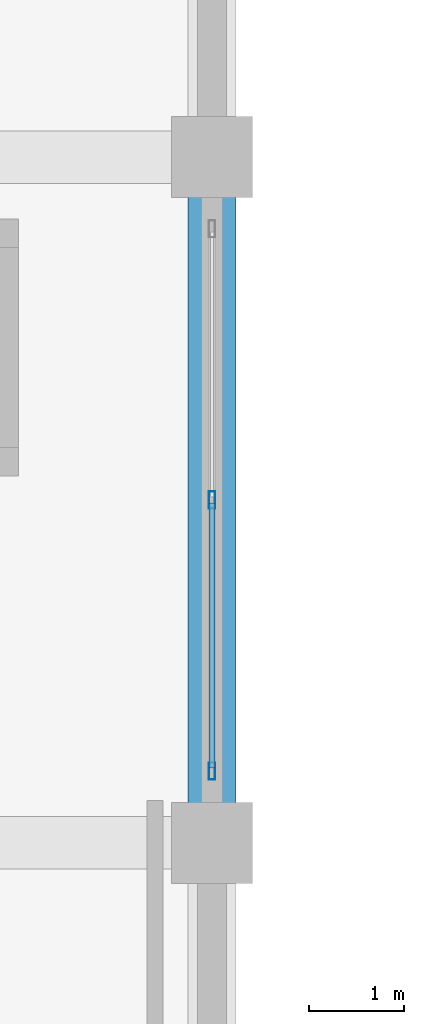
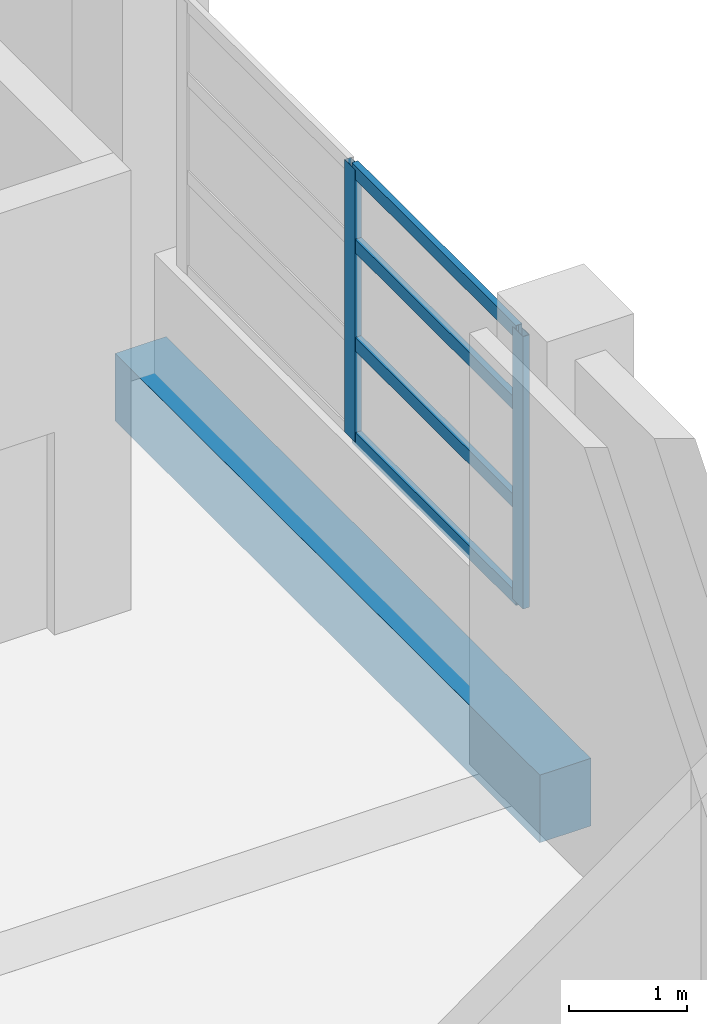
# One storey, part 24 of 181: 6 members, 1 beam, 1 element without a shape of its own.
"""IFC4 building model written with IfcOpenShell, lengths in metres."""

from ifc_helpers import new_model, si_unit, direction, frame, origin, origin_2d, place, context, subcontext, project, spatial, rectangle, hollow_rectangle, extrude, material, layer, layer_set, material_profile, profile_set, type_object, element, aggregate, save


model = new_model("IFC4")

# Units and contexts
model_context = context("Model", 3, precision=1e-05, world=origin(), true_north=direction((0.0, 1.0)))
body_context = subcontext(model_context, "Body", "Model", "MODEL_VIEW")
ifc_project = project(units=[si_unit("LENGTHUNIT", "METRE"), si_unit("AREAUNIT", "SQUARE_METRE"), si_unit("VOLUMEUNIT", "CUBIC_METRE"), si_unit("PLANEANGLEUNIT", "RADIAN"), si_unit("MASSUNIT", "GRAM", prefix="KILO")], contexts=[model_context])

# Site, building, storey
site_placement = place(None, origin())
site = spatial("IfcSite", under=ifc_project, at=site_placement, CompositionType="ELEMENT")
building_placement = place(site_placement, origin())
building = spatial("IfcBuilding", under=site, at=building_placement, Name="Seraya Terrace Polytechnic", CompositionType="ELEMENT")
storey_placement = place(building_placement, frame((0.0, 0.0, 4.800048828125)))
storey = spatial("IfcBuildingStorey", under=building, at=storey_placement, Name="L01", CompositionType="ELEMENT", Elevation=4.800048828125)

# Beam
ifc_material_1 = material(Name="Concrete C40/50", Category="concrete")
ifc_material_profile_1 = material_profile(ifc_material_1, rectangle(XDim=0.5, YDim=0.699951171875, at=origin_2d()), Name="RC 500x700")
ifc_profile_set_1 = profile_set([ifc_material_profile_1], Name="Concrete C40/50")
beam_type = type_object("IfcBeamType", Name="BM-07", PredefinedType="BEAM", material=ifc_profile_set_1)
beam_placement = place(storey_placement, frame((43.199951171875, 36.0, -0.35009765625), z_axis=(0.0, 1.0, 0.0), x_axis=(-1.0, 0.0, 0.0)))
element("IfcBeam", 1, at=beam_placement, inside=storey, type_object=beam_type, Name="Beam BM-07 L01 Y (43.2, 36.0..43.2)", PredefinedType="BEAM", context=body_context, shape_type="SweptSolid", body=[
    extrude(rectangle(XDim=0.5, YDim=0.699951171875, at=origin_2d()), origin(), (0.0, 0.0, 1.0), 7.199951171875),
])

# Curtain wall, members
ifc_material_2 = material(Name="Anodised aluminium EN AW-6063 T6", Category="aluminium")
ifc_layer = layer(ifc_material_2, 0.179931640625, Name="CW-01")
ifc_layer_set = layer_set([ifc_layer], Name="Anodised aluminium EN AW-6063 T6")
curtain_wall_type = type_object("IfcCurtainWallType", Name="CW-01", PredefinedType="NOTDEFINED", material=ifc_layer_set)
curtain_wall_placement = place(storey_placement, origin())
curtain_wall = element("IfcCurtainWall", 2, at=curtain_wall_placement, inside=storey, type_object=curtain_wall_type, Name="Unitised curtain wall CW-01 (CW-L01-037)", PredefinedType="NOTDEFINED")
ifc_material_profile_2 = material_profile(ifc_material_2, hollow_rectangle(XDim=0.06494140625, YDim=0.179931640625, WallThickness=0.00390625, at=origin_2d()), Name="RHS 180x65x4.0")
ifc_profile_set_2 = profile_set([ifc_material_profile_2], Name="Anodised aluminium EN AW-6063 T6")
member_type_1 = type_object("IfcMemberType", Name="CWM-01", PredefinedType="MULLION", material=ifc_profile_set_2)
member_1_placement = place(storey_placement, frame((43.199951171875, 39.60009765625, 1.239990234375), z_axis=(0.0, 0.0, 1.0), x_axis=(1.0, 0.0, 0.0)))
member_1 = element("IfcMember", 3, at=member_1_placement, type_object=member_type_1, Name="CW-01 mullion 2", PredefinedType="MULLION", context=body_context, shape_type="SweptSolid", body=[
    extrude(hollow_rectangle(XDim=0.06494140625, YDim=0.179931640625, WallThickness=0.00390625, at=origin_2d()), origin(), (0.0, 0.0, 1.0), 2.820068359375),
])
member_2_placement = place(storey_placement, frame((43.199951171875, 36.75244140625, 1.239990234375), z_axis=(0.0, 0.0, 1.0), x_axis=(1.0, 0.0, 0.0)))
member_2 = element("IfcMember", 4, at=member_2_placement, type_object=member_type_1, Name="CW-01 mullion 3", PredefinedType="MULLION", context=body_context, shape_type="SweptSolid", body=[
    extrude(hollow_rectangle(XDim=0.06494140625, YDim=0.179931640625, WallThickness=0.00390625, at=origin_2d()), origin(), (0.0, 0.0, 1.0), 2.820068359375),
])
ifc_material_profile_3 = material_profile(ifc_material_2, hollow_rectangle(XDim=0.06005859375, YDim=0.139892578125, WallThickness=0.00341796875, at=origin_2d()), Name="RHS 140x60x3.5")
ifc_profile_set_3 = profile_set([ifc_material_profile_3], Name="Anodised aluminium EN AW-6063 T6")
member_type_2 = type_object("IfcMemberType", Name="CWT-01", PredefinedType="USERDEFINED", material=ifc_profile_set_3)
member_3_placement = place(storey_placement, frame((43.199951171875, 39.5673828125, 1.27001953125), z_axis=(0.0, -1.0, 0.0), x_axis=(1.0, 0.0, 0.0)))
member_3 = element("IfcMember", 5, at=member_3_placement, type_object=member_type_2, Name="CW-01 transom 2.1", ObjectType="TRANSOM", PredefinedType="USERDEFINED", context=body_context, shape_type="SweptSolid", body=[
    extrude(hollow_rectangle(XDim=0.06005859375, YDim=0.139892578125, WallThickness=0.00341796875, at=origin_2d()), origin(), (0.0, 0.0, 1.0), 2.782470703125),
])
member_4_placement = place(storey_placement, frame((43.199951171875, 39.5673828125, 2.255126953125), z_axis=(0.0, -1.0, 0.0), x_axis=(1.0, 0.0, 0.0)))
member_4 = element("IfcMember", 6, at=member_4_placement, type_object=member_type_2, Name="CW-01 transom 2.2", ObjectType="TRANSOM", PredefinedType="USERDEFINED", context=body_context, shape_type="SweptSolid", body=[
    extrude(hollow_rectangle(XDim=0.06005859375, YDim=0.139892578125, WallThickness=0.00341796875, at=origin_2d()), origin(), (0.0, 0.0, 1.0), 2.782470703125),
])
member_5_placement = place(storey_placement, frame((43.199951171875, 39.5673828125, 3.270263671875), z_axis=(0.0, -1.0, 0.0), x_axis=(1.0, 0.0, 0.0)))
member_5 = element("IfcMember", 7, at=member_5_placement, type_object=member_type_2, Name="CW-01 transom 2.3", ObjectType="TRANSOM", PredefinedType="USERDEFINED", context=body_context, shape_type="SweptSolid", body=[
    extrude(hollow_rectangle(XDim=0.06005859375, YDim=0.139892578125, WallThickness=0.00341796875, at=origin_2d()), origin(), (0.0, 0.0, 1.0), 2.782470703125),
])
member_6_placement = place(storey_placement, frame((43.199951171875, 39.5673828125, 4.030029296875), z_axis=(0.0, -1.0, 0.0), x_axis=(1.0, 0.0, 0.0)))
member_6 = element("IfcMember", 8, at=member_6_placement, type_object=member_type_2, Name="CW-01 transom 2.4", ObjectType="TRANSOM", PredefinedType="USERDEFINED", context=body_context, shape_type="SweptSolid", body=[
    extrude(hollow_rectangle(XDim=0.06005859375, YDim=0.139892578125, WallThickness=0.00341796875, at=origin_2d()), origin(), (0.0, 0.0, 1.0), 2.782470703125),
])
aggregate(curtain_wall, [member_1, member_2, member_3, member_4, member_5, member_6])

save(model, "model.ifc")
